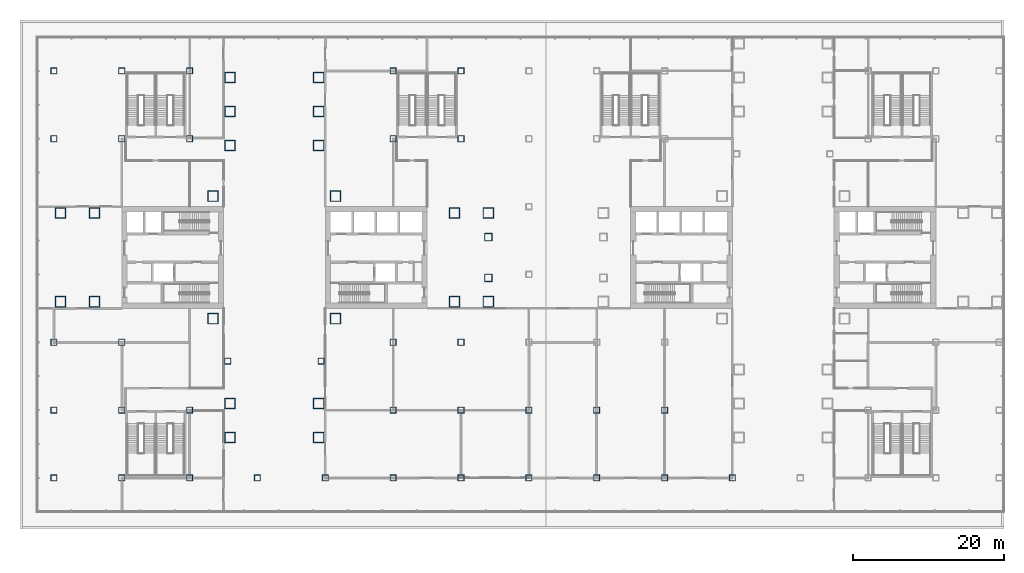
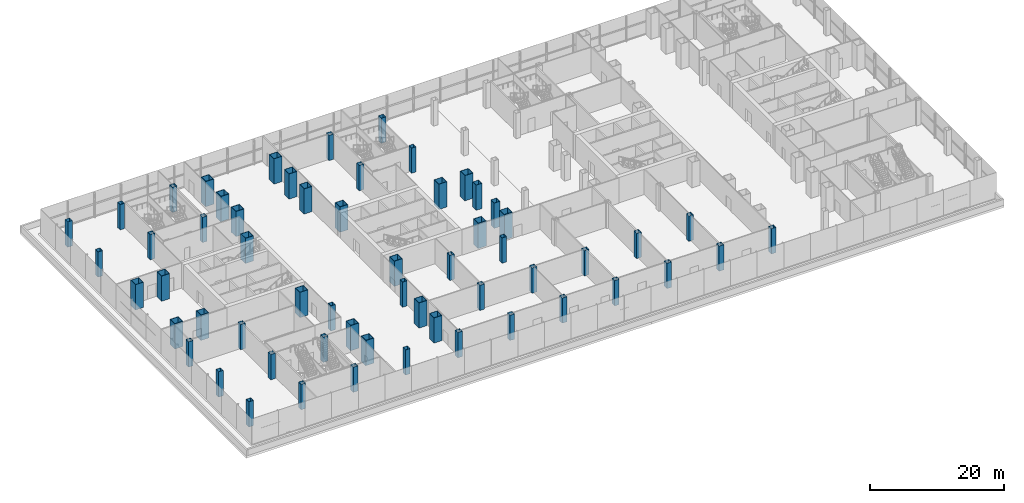
# One storey, part 1 of 33: 59 columns.
"""IFC4 building model written with IfcOpenShell, lengths in metres."""

from ifc_helpers import new_model, si_unit, direction, frame, origin, origin_2d, place, context, subcontext, project, spatial, hollow_rectangle, extrude, material, material_profile, profile_set, type_object, element, save


model = new_model("IFC4")

# Units and contexts
model_context = context("Model", 3, precision=1e-05, world=origin(), true_north=direction((0.0, 1.0)))
body_context = subcontext(model_context, "Body", "Model", "MODEL_VIEW")
ifc_project = project(units=[si_unit("LENGTHUNIT", "METRE"), si_unit("AREAUNIT", "SQUARE_METRE"), si_unit("VOLUMEUNIT", "CUBIC_METRE"), si_unit("PLANEANGLEUNIT", "RADIAN"), si_unit("MASSUNIT", "GRAM", prefix="KILO")], contexts=[model_context])

# Site, building, storey
site_placement = place(None, origin())
site = spatial("IfcSite", under=ifc_project, at=site_placement, CompositionType="ELEMENT")
building_placement = place(site_placement, origin())
building = spatial("IfcBuilding", under=site, at=building_placement, Name="Shamsa Quay Exchange Towers", CompositionType="ELEMENT")
storey_placement = place(building_placement, frame((0.0, 0.0, 18.5)))
storey = spatial("IfcBuildingStorey", under=building, at=storey_placement, Name="L03", CompositionType="ELEMENT", Elevation=18.5)

# Columns
ifc_material_1 = material(Name="Concrete-filled steel tube S355 / C80/95", Category="concrete")
ifc_material_profile_1 = material_profile(ifc_material_1, hollow_rectangle(XDim=1.39990234375, YDim=1.39990234375, WallThickness=0.06005859375, at=origin_2d()), Name="CFT 1400x1400x60")
ifc_profile_set_1 = profile_set([ifc_material_profile_1], Name="Concrete-filled steel tube S355 / C80/95")
column_type_1 = type_object("IfcColumnType", Name="Column CFT 1400x1400x60", PredefinedType="COLUMN", material=ifc_profile_set_1)
for number, where, name in (
    (1, (-25.625, 8.125, 0.0), "Mega column T1-CM01"),
    (2, (-25.625, -8.125, 0.0), "Mega column T1-CM02"),
    (3, (-41.875, 8.125, 0.0), "Mega column T1-CM03"),
    (4, (-41.875, -8.125, 0.0), "Mega column T1-CM04"),
    (5, (-9.875, -5.875, 0.0), "Mega column T1-CM05"),
    (6, (-5.375, -5.875, 0.0), "Mega column T1-CM06"),
    (7, (-9.875, 5.875, 0.0), "Mega column T1-CM07"),
    (8, (-5.375, 5.875, 0.0), "Mega column T1-CM08"),
    (9, (-57.625, -5.875, 0.0), "Mega column T1-CM09"),
    (10, (-62.125, -5.875, 0.0), "Mega column T1-CM10"),
    (11, (-57.625, 5.875, 0.0), "Mega column T1-CM11"),
    (12, (-62.125, 5.875, 0.0), "Mega column T1-CM12"),
    (13, (-39.625, 14.875, 0.0), "Mega column T1-CM13"),
    (14, (-39.625, 19.375, 0.0), "Mega column T1-CM14"),
    (15, (-39.625, 23.875, 0.0), "Mega column T1-CM15"),
    (16, (-27.875, 14.875, 0.0), "Mega column T1-CM16"),
    (17, (-27.875, 19.375, 0.0), "Mega column T1-CM17"),
    (18, (-27.875, 23.875, 0.0), "Mega column T1-CM18"),
    (19, (-39.625, -19.375, 0.0), "Mega column T1-CM20"),
    (20, (-39.625, -23.875, 0.0), "Mega column T1-CM21"),
    (21, (-27.875, -19.375, 0.0), "Mega column T1-CM23"),
    (22, (-27.875, -23.875, 0.0), "Mega column T1-CM24"),
):
    element("IfcColumn", number, at=place(storey_placement, frame(where)), inside=storey, type_object=column_type_1, Name=name, PredefinedType="COLUMN", context=body_context, shape_type="SweptSolid", body=[
        extrude(hollow_rectangle(XDim=1.39990234375, YDim=1.39990234375, WallThickness=0.06005859375, at=origin_2d()), origin(), (0.0, 0.0, 1.0), 4.60009765625),
    ])
ifc_material_2 = material(Name="Concrete-filled steel tube S355 / C60/75", Category="concrete")
ifc_material_profile_2 = material_profile(ifc_material_2, hollow_rectangle(XDim=0.800048828125, YDim=0.800048828125, WallThickness=0.030029296875, at=origin_2d()), Name="CFT 800x800x30")
ifc_profile_set_2 = profile_set([ifc_material_profile_2], Name="Concrete-filled steel tube S355 / C60/75")
column_type_2 = type_object("IfcColumnType", Name="Column CFT 800x800x30", PredefinedType="COLUMN", material=ifc_profile_set_2)
for number, where, name in (
    (23, (-39.9375, -13.75, 0.0), "Perimeter column T1-CP19"),
    (24, (-27.5625, -13.75, 0.0), "Perimeter column T1-CP22"),
    (25, (-63.0, -29.25, 0.0), "Perimeter column PD-C-0630-0292"),
    (26, (-63.0, -20.25, 0.0), "Perimeter column PD-C-0630-0202"),
    (27, (-63.0, -11.25, 0.0), "Perimeter column PD-C-0630-0112"),
    (28, (-63.0, 15.75, 0.0), "Perimeter column PD-C-0630+0158"),
    (29, (-63.0, 24.75, 0.0), "Perimeter column PD-C-0630+0248"),
    (30, (-54.0, -29.25, 0.0), "Perimeter column PD-C-0540-0292"),
    (31, (-54.0, -20.25, 0.0), "Perimeter column PD-C-0540-0202"),
    (32, (-54.0, -11.25, 0.0), "Perimeter column PD-C-0540-0112"),
    (33, (-54.0, 15.75, 0.0), "Perimeter column PD-C-0540+0158"),
    (34, (-54.0, 24.75, 0.0), "Perimeter column PD-C-0540+0248"),
    (35, (-45.0, -29.25, 0.0), "Perimeter column PD-C-0450-0292"),
    (36, (-45.0, -20.25, 0.0), "Perimeter column PD-C-0450-0202"),
    (37, (-45.0, 15.75, 0.0), "Perimeter column PD-C-0450+0158"),
    (38, (-45.0, 24.75, 0.0), "Perimeter column PD-C-0450+0248"),
    (39, (-36.0, -29.25, 0.0), "Perimeter column PD-C-0360-0292"),
    (40, (-27.0, -29.25, 0.0), "Perimeter column PD-C-0270-0292"),
    (41, (-18.0, -29.25, 0.0), "Perimeter column PD-C-0180-0292"),
    (42, (-18.0, -20.25, 0.0), "Perimeter column PD-C-0180-0202"),
    (43, (-18.0, -11.25, 0.0), "Perimeter column PD-C-0180-0112"),
    (44, (-18.0, 15.75, 0.0), "Perimeter column PD-C-0180+0158"),
    (45, (-18.0, 24.75, 0.0), "Perimeter column PD-C-0180+0248"),
    (46, (-9.0, -29.25, 0.0), "Perimeter column PD-C-0090-0292"),
    (47, (-9.0, -20.25, 0.0), "Perimeter column PD-C-0090-0202"),
    (48, (-9.0, -11.25, 0.0), "Perimeter column PD-C-0090-0112"),
    (49, (-9.0, 15.75, 0.0), "Perimeter column PD-C-0090+0158"),
    (50, (-9.0, 24.75, 0.0), "Perimeter column PD-C-0090+0248"),
    (51, (0.0, -29.25, 0.0), "Perimeter column PD-C+0000-0292"),
    (52, (0.0, -20.25, 0.0), "Perimeter column PD-C+0000-0202"),
    (53, (9.0, -29.25, 0.0), "Perimeter column PD-C+0090-0292"),
    (54, (9.0, -20.25, 0.0), "Perimeter column PD-C+0090-0202"),
    (55, (18.0, -29.25, 0.0), "Perimeter column PD-C+0180-0292"),
    (56, (18.0, -20.25, 0.0), "Perimeter column PD-C+0180-0202"),
    (57, (27.0, -29.25, 0.0), "Perimeter column PD-C+0270-0292"),
):
    element("IfcColumn", number, at=place(storey_placement, frame(where)), inside=storey, type_object=column_type_2, Name=name, PredefinedType="COLUMN", context=body_context, shape_type="SweptSolid", body=[
        extrude(hollow_rectangle(XDim=0.800048828125, YDim=0.800048828125, WallThickness=0.030029296875, at=origin_2d()), origin(), (0.0, 0.0, 1.0), 4.60009765625),
    ])
ifc_material_3 = material(Name="Concrete-filled steel tube S355 / C70/85", Category="concrete")
ifc_material_profile_3 = material_profile(ifc_material_3, hollow_rectangle(XDim=1.0, YDim=1.0, WallThickness=0.0400390625, at=origin_2d()), Name="CFT 1000x1000x40")
ifc_profile_set_3 = profile_set([ifc_material_profile_3], Name="Concrete-filled steel tube S355 / C70/85")
column_type_3 = type_object("IfcColumnType", Name="Landing column CFT 1000x1000x40", PredefinedType="COLUMN", material=ifc_profile_set_3)
for number, where, name in (
    (58, (-5.375, -2.699951171875, 0.0), "Landing column T1 S"),
    (59, (-5.375, 2.699951171875, 0.0), "Landing column T1 N"),
):
    element("IfcColumn", number, at=place(storey_placement, frame(where)), inside=storey, type_object=column_type_3, Name=name, PredefinedType="COLUMN", context=body_context, shape_type="SweptSolid", body=[
        extrude(hollow_rectangle(XDim=1.0, YDim=1.0, WallThickness=0.0400390625, at=origin_2d()), origin(), (0.0, 0.0, 1.0), 4.60009765625),
    ])

save(model, "model.ifc")
